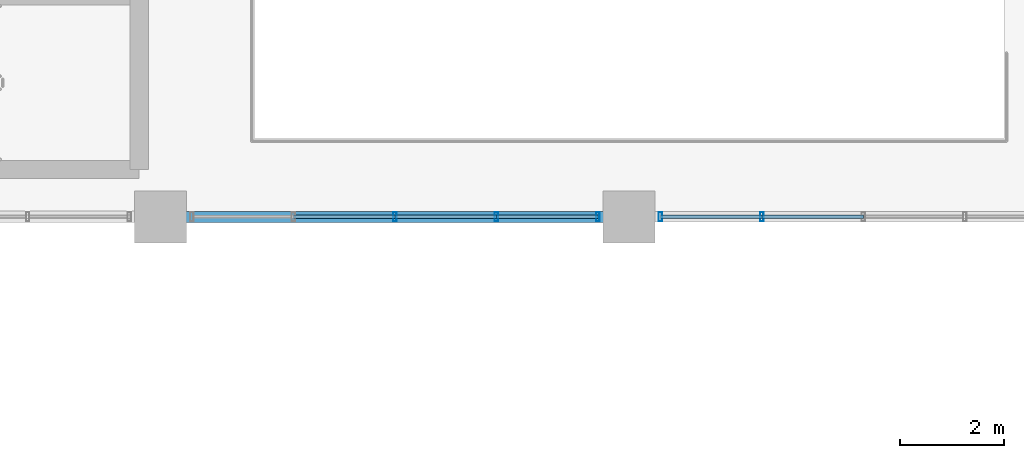
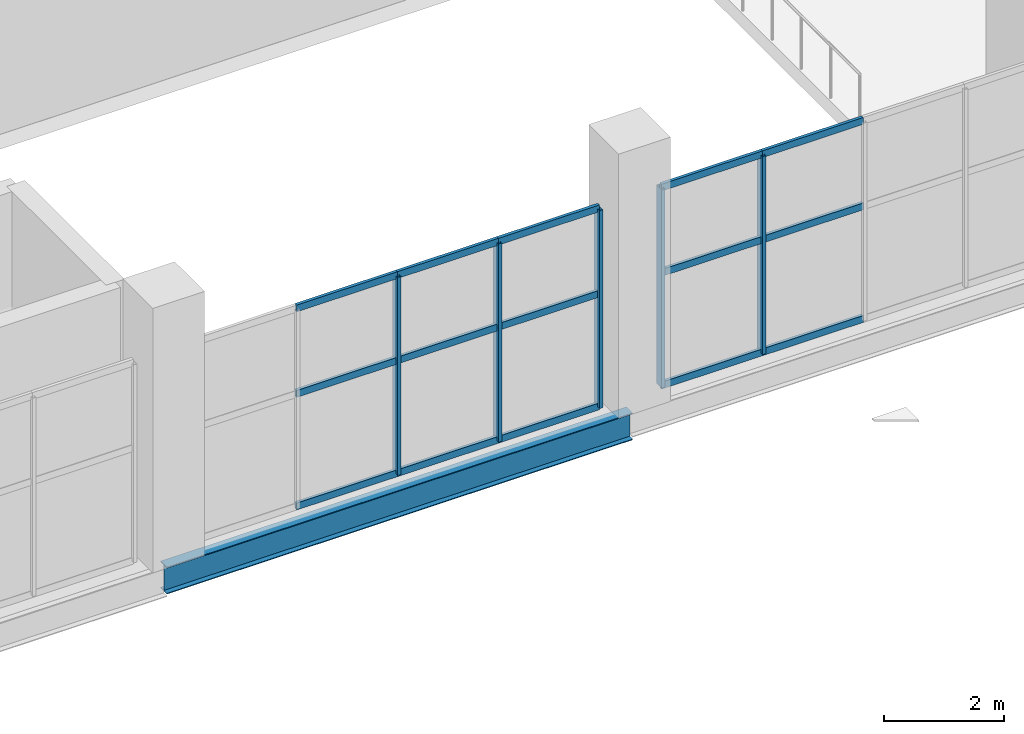
# One storey, part 15 of 147: 20 members, 1 beam, 2 elements without a shape of their own.
"""IFC4 building model written with IfcOpenShell, lengths in metres."""

from ifc_helpers import new_model, si_unit, direction, frame, origin, origin_2d, place, context, subcontext, project, spatial, hollow_rectangle, i_section, extrude, material, layer, layer_set, material_profile, profile_set, type_object, element, aggregate, save


model = new_model("IFC4")

# Units and contexts
model_context = context("Model", 3, precision=1e-05, world=origin(), true_north=direction((0.0, 1.0)))
body_context = subcontext(model_context, "Body", "Model", "MODEL_VIEW")
ifc_project = project(units=[si_unit("LENGTHUNIT", "METRE"), si_unit("AREAUNIT", "SQUARE_METRE"), si_unit("VOLUMEUNIT", "CUBIC_METRE"), si_unit("PLANEANGLEUNIT", "RADIAN"), si_unit("MASSUNIT", "GRAM", prefix="KILO")], contexts=[model_context])

# Site, building, storey
site_placement = place(None, origin())
site = spatial("IfcSite", under=ifc_project, at=site_placement, CompositionType="ELEMENT")
building_placement = place(site_placement, origin())
building = spatial("IfcBuilding", under=site, at=building_placement, Name="Sundgate Opera House", CompositionType="ELEMENT")
storey_placement = place(building_placement, frame((0.0, 0.0, 6.0)))
storey = spatial("IfcBuildingStorey", under=building, at=storey_placement, Name="L01", CompositionType="ELEMENT", Elevation=6.0)

# Beam
ifc_material_1 = material(Name="Steel S355J2", Category="steel")
ifc_material_profile_1 = material_profile(ifc_material_1, i_section(OverallWidth=0.2099609375, OverallDepth=0.550048828125, WebThickness=0.010986328125, FlangeThickness=0.01708984375, at=origin_2d()), Name="IPE 550")
ifc_profile_set_1 = profile_set([ifc_material_profile_1], Name="Steel S355J2")
beam_type = type_object("IfcBeamType", Name="BM-GR-IPE550", PredefinedType="BEAM", material=ifc_profile_set_1)
beam_placement = place(storey_placement, frame((45.0, 42.0, -0.574951171875), z_axis=(1.0, 0.0, 0.0), x_axis=(0.0, 1.0, 0.0)))
element("IfcBeam", 1, at=beam_placement, inside=storey, type_object=beam_type, Name="L01 Primary E-W Girder B1329", PredefinedType="BEAM", context=body_context, shape_type="SweptSolid", body=[
    extrude(i_section(OverallWidth=0.2099609375, OverallDepth=0.550048828125, WebThickness=0.010986328125, FlangeThickness=0.01708984375, at=origin_2d()), origin(), (0.0, 0.0, 1.0), 9.0),
])

# Curtain wall, members
ifc_material_2 = material(Name="Anodized aluminium and low-iron glass", Category="aluminium")
ifc_layer = layer(ifc_material_2, 0.179931640625)
ifc_layer_set = layer_set([ifc_layer], Name="Anodized aluminium and low-iron glass")
curtain_wall_type = type_object("IfcCurtainWallType", Name="CW-FOYER-GLASS", PredefinedType="NOTDEFINED", material=ifc_layer_set)
curtain_wall_1_placement = place(storey_placement, origin())
curtain_wall_1 = element("IfcCurtainWall", 2, at=curtain_wall_1_placement, inside=storey, type_object=curtain_wall_type, Name="L01 Curtain Wall CW012", PredefinedType="NOTDEFINED")
ifc_material_3 = material(Name="Anodized aluminium EN AW-6063", Category="aluminium")
ifc_material_profile_2 = material_profile(ifc_material_3, hollow_rectangle(XDim=0.06494140625, YDim=0.179931640625, WallThickness=0.00390625, at=origin_2d()), Name="CWM 180x65x4")
ifc_profile_set_2 = profile_set([ifc_material_profile_2], Name="Anodized aluminium EN AW-6063")
member_type_1 = type_object("IfcMemberType", Name="CWM-ALU-180x65", PredefinedType="MULLION", material=ifc_profile_set_2)
member_1_placement = place(storey_placement, frame((53.39990234375, 42.0, 0.0), z_axis=(0.0, 0.0, 1.0), x_axis=(1.0, 0.0, 0.0)))
member_1 = element("IfcMember", 3, at=member_1_placement, type_object=member_type_1, Name="CW012 Mullion 1", PredefinedType="MULLION", context=body_context, shape_type="SweptSolid", body=[
    extrude(hollow_rectangle(XDim=0.06494140625, YDim=0.179931640625, WallThickness=0.00390625, at=origin_2d()), origin(), (0.0, 0.0, 1.0), 4.044921875),
])
member_2_placement = place(storey_placement, frame((51.449951171875, 42.0, 0.0), z_axis=(0.0, 0.0, 1.0), x_axis=(1.0, 0.0, 0.0)))
member_2 = element("IfcMember", 4, at=member_2_placement, type_object=member_type_1, Name="CW012 Mullion 2", PredefinedType="MULLION", context=body_context, shape_type="SweptSolid", body=[
    extrude(hollow_rectangle(XDim=0.06494140625, YDim=0.179931640625, WallThickness=0.00390625, at=origin_2d()), origin(), (0.0, 0.0, 1.0), 4.044921875),
])
member_3_placement = place(storey_placement, frame((49.5, 42.0, 0.0), z_axis=(0.0, 0.0, 1.0), x_axis=(1.0, 0.0, 0.0)))
member_3 = element("IfcMember", 5, at=member_3_placement, type_object=member_type_1, Name="CW012 Mullion 3", PredefinedType="MULLION", context=body_context, shape_type="SweptSolid", body=[
    extrude(hollow_rectangle(XDim=0.06494140625, YDim=0.179931640625, WallThickness=0.00390625, at=origin_2d()), origin(), (0.0, 0.0, 1.0), 4.044921875),
])

curtain_wall_2_placement = place(storey_placement, origin())
curtain_wall_2 = element("IfcCurtainWall", 6, at=curtain_wall_2_placement, inside=storey, type_object=curtain_wall_type, Name="L01 Curtain Wall CW013", PredefinedType="NOTDEFINED")
member_4_placement = place(storey_placement, frame((56.550048828125, 42.0, 0.0), z_axis=(0.0, 0.0, 1.0), x_axis=(1.0, 0.0, 0.0)))
member_4 = element("IfcMember", 7, at=member_4_placement, type_object=member_type_1, Name="CW013 Mullion 4", PredefinedType="MULLION", context=body_context, shape_type="SweptSolid", body=[
    extrude(hollow_rectangle(XDim=0.06494140625, YDim=0.179931640625, WallThickness=0.00390625, at=origin_2d()), origin(), (0.0, 0.0, 1.0), 4.044921875),
])
member_5_placement = place(storey_placement, frame((54.60009765625, 42.0, 0.0), z_axis=(0.0, 0.0, 1.0), x_axis=(1.0, 0.0, 0.0)))
member_5 = element("IfcMember", 8, at=member_5_placement, type_object=member_type_1, Name="CW013 Mullion 5", PredefinedType="MULLION", context=body_context, shape_type="SweptSolid", body=[
    extrude(hollow_rectangle(XDim=0.06494140625, YDim=0.179931640625, WallThickness=0.00390625, at=origin_2d()), origin(), (0.0, 0.0, 1.0), 4.044921875),
])

# Member
ifc_material_4 = material(Name="Anodized aluminium EN AW-6063", Category="aluminium")
ifc_material_profile_3 = material_profile(ifc_material_4, hollow_rectangle(XDim=0.06005859375, YDim=0.139892578125, WallThickness=0.00390625, at=origin_2d()), Name="CWT 140x60x4")
ifc_profile_set_3 = profile_set([ifc_material_profile_3], Name="Anodized aluminium EN AW-6063")
member_type_2 = type_object("IfcMemberType", Name="CWT-ALU-140x60", PredefinedType="USERDEFINED", material=ifc_profile_set_3)
member_6_placement = place(storey_placement, frame((53.39990234375, 42.0, 0.0), z_axis=(-1.0, 0.0, 0.0), x_axis=(0.0, -1.0, 0.0)))
member_6 = element("IfcMember", 9, at=member_6_placement, type_object=member_type_2, Name="CW012 Transom 1", ObjectType="TRANSOM", PredefinedType="USERDEFINED", context=body_context, shape_type="SweptSolid", body=[
    extrude(hollow_rectangle(XDim=0.06005859375, YDim=0.139892578125, WallThickness=0.00390625, at=origin_2d()), origin(), (0.0, 0.0, 1.0), 1.949951171875),
])

member_7_placement = place(storey_placement, frame((53.39990234375, 42.0, 2.300048828125), z_axis=(-1.0, 0.0, 0.0), x_axis=(0.0, -1.0, 0.0)))
member_7 = element("IfcMember", 10, at=member_7_placement, type_object=member_type_2, Name="CW012 Transom 2", ObjectType="TRANSOM", PredefinedType="USERDEFINED", context=body_context, shape_type="SweptSolid", body=[
    extrude(hollow_rectangle(XDim=0.06005859375, YDim=0.139892578125, WallThickness=0.00390625, at=origin_2d()), origin(), (0.0, 0.0, 1.0), 1.949951171875),
])

member_8_placement = place(storey_placement, frame((53.39990234375, 42.0, 4.044921875), z_axis=(-1.0, 0.0, 0.0), x_axis=(0.0, -1.0, 0.0)))
member_8 = element("IfcMember", 11, at=member_8_placement, type_object=member_type_2, Name="CW012 Transom 3", ObjectType="TRANSOM", PredefinedType="USERDEFINED", context=body_context, shape_type="SweptSolid", body=[
    extrude(hollow_rectangle(XDim=0.06005859375, YDim=0.139892578125, WallThickness=0.00390625, at=origin_2d()), origin(), (0.0, 0.0, 1.0), 1.949951171875),
])

member_9_placement = place(storey_placement, frame((51.449951171875, 42.0, 0.0), z_axis=(-1.0, 0.0, 0.0), x_axis=(0.0, -1.0, 0.0)))
member_9 = element("IfcMember", 12, at=member_9_placement, type_object=member_type_2, Name="CW012 Transom 4", ObjectType="TRANSOM", PredefinedType="USERDEFINED", context=body_context, shape_type="SweptSolid", body=[
    extrude(hollow_rectangle(XDim=0.06005859375, YDim=0.139892578125, WallThickness=0.00390625, at=origin_2d()), origin(), (0.0, 0.0, 1.0), 1.949951171875),
])

member_10_placement = place(storey_placement, frame((51.449951171875, 42.0, 2.300048828125), z_axis=(-1.0, 0.0, 0.0), x_axis=(0.0, -1.0, 0.0)))
member_10 = element("IfcMember", 13, at=member_10_placement, type_object=member_type_2, Name="CW012 Transom 5", ObjectType="TRANSOM", PredefinedType="USERDEFINED", context=body_context, shape_type="SweptSolid", body=[
    extrude(hollow_rectangle(XDim=0.06005859375, YDim=0.139892578125, WallThickness=0.00390625, at=origin_2d()), origin(), (0.0, 0.0, 1.0), 1.949951171875),
])

member_11_placement = place(storey_placement, frame((51.449951171875, 42.0, 4.044921875), z_axis=(-1.0, 0.0, 0.0), x_axis=(0.0, -1.0, 0.0)))
member_11 = element("IfcMember", 14, at=member_11_placement, type_object=member_type_2, Name="CW012 Transom 6", ObjectType="TRANSOM", PredefinedType="USERDEFINED", context=body_context, shape_type="SweptSolid", body=[
    extrude(hollow_rectangle(XDim=0.06005859375, YDim=0.139892578125, WallThickness=0.00390625, at=origin_2d()), origin(), (0.0, 0.0, 1.0), 1.949951171875),
])

member_12_placement = place(storey_placement, frame((49.5, 42.0, 0.0), z_axis=(-1.0, 0.0, 0.0), x_axis=(0.0, -1.0, 0.0)))
member_12 = element("IfcMember", 15, at=member_12_placement, type_object=member_type_2, Name="CW012 Transom 7", ObjectType="TRANSOM", PredefinedType="USERDEFINED", context=body_context, shape_type="SweptSolid", body=[
    extrude(hollow_rectangle(XDim=0.06005859375, YDim=0.139892578125, WallThickness=0.00390625, at=origin_2d()), origin(), (0.0, 0.0, 1.0), 1.949951171875),
])

member_13_placement = place(storey_placement, frame((49.5, 42.0, 2.300048828125), z_axis=(-1.0, 0.0, 0.0), x_axis=(0.0, -1.0, 0.0)))
member_13 = element("IfcMember", 16, at=member_13_placement, type_object=member_type_2, Name="CW012 Transom 8", ObjectType="TRANSOM", PredefinedType="USERDEFINED", context=body_context, shape_type="SweptSolid", body=[
    extrude(hollow_rectangle(XDim=0.06005859375, YDim=0.139892578125, WallThickness=0.00390625, at=origin_2d()), origin(), (0.0, 0.0, 1.0), 1.949951171875),
])

member_14_placement = place(storey_placement, frame((49.5, 42.0, 4.044921875), z_axis=(-1.0, 0.0, 0.0), x_axis=(0.0, -1.0, 0.0)))
member_14 = element("IfcMember", 17, at=member_14_placement, type_object=member_type_2, Name="CW012 Transom 9", ObjectType="TRANSOM", PredefinedType="USERDEFINED", context=body_context, shape_type="SweptSolid", body=[
    extrude(hollow_rectangle(XDim=0.06005859375, YDim=0.139892578125, WallThickness=0.00390625, at=origin_2d()), origin(), (0.0, 0.0, 1.0), 1.949951171875),
])

aggregate(curtain_wall_1, [member_1, member_2, member_3, member_6, member_7, member_8, member_9, member_10, member_11, member_12, member_13, member_14])

member_15_placement = place(storey_placement, frame((58.5, 42.0, 0.0), z_axis=(-1.0, 0.0, 0.0), x_axis=(0.0, -1.0, 0.0)))
member_15 = element("IfcMember", 18, at=member_15_placement, type_object=member_type_2, Name="CW013 Transom 7", ObjectType="TRANSOM", PredefinedType="USERDEFINED", context=body_context, shape_type="SweptSolid", body=[
    extrude(hollow_rectangle(XDim=0.06005859375, YDim=0.139892578125, WallThickness=0.00390625, at=origin_2d()), origin(), (0.0, 0.0, 1.0), 1.949951171875),
])

member_16_placement = place(storey_placement, frame((58.5, 42.0, 2.300048828125), z_axis=(-1.0, 0.0, 0.0), x_axis=(0.0, -1.0, 0.0)))
member_16 = element("IfcMember", 19, at=member_16_placement, type_object=member_type_2, Name="CW013 Transom 8", ObjectType="TRANSOM", PredefinedType="USERDEFINED", context=body_context, shape_type="SweptSolid", body=[
    extrude(hollow_rectangle(XDim=0.06005859375, YDim=0.139892578125, WallThickness=0.00390625, at=origin_2d()), origin(), (0.0, 0.0, 1.0), 1.949951171875),
])

member_17_placement = place(storey_placement, frame((58.5, 42.0, 4.044921875), z_axis=(-1.0, 0.0, 0.0), x_axis=(0.0, -1.0, 0.0)))
member_17 = element("IfcMember", 20, at=member_17_placement, type_object=member_type_2, Name="CW013 Transom 9", ObjectType="TRANSOM", PredefinedType="USERDEFINED", context=body_context, shape_type="SweptSolid", body=[
    extrude(hollow_rectangle(XDim=0.06005859375, YDim=0.139892578125, WallThickness=0.00390625, at=origin_2d()), origin(), (0.0, 0.0, 1.0), 1.949951171875),
])

member_18_placement = place(storey_placement, frame((56.550048828125, 42.0, 0.0), z_axis=(-1.0, 0.0, 0.0), x_axis=(0.0, -1.0, 0.0)))
member_18 = element("IfcMember", 21, at=member_18_placement, type_object=member_type_2, Name="CW013 Transom 10", ObjectType="TRANSOM", PredefinedType="USERDEFINED", context=body_context, shape_type="SweptSolid", body=[
    extrude(hollow_rectangle(XDim=0.06005859375, YDim=0.139892578125, WallThickness=0.00390625, at=origin_2d()), origin(), (0.0, 0.0, 1.0), 1.949951171875),
])

member_19_placement = place(storey_placement, frame((56.550048828125, 42.0, 2.300048828125), z_axis=(-1.0, 0.0, 0.0), x_axis=(0.0, -1.0, 0.0)))
member_19 = element("IfcMember", 22, at=member_19_placement, type_object=member_type_2, Name="CW013 Transom 11", ObjectType="TRANSOM", PredefinedType="USERDEFINED", context=body_context, shape_type="SweptSolid", body=[
    extrude(hollow_rectangle(XDim=0.06005859375, YDim=0.139892578125, WallThickness=0.00390625, at=origin_2d()), origin(), (0.0, 0.0, 1.0), 1.949951171875),
])

member_20_placement = place(storey_placement, frame((56.550048828125, 42.0, 4.044921875), z_axis=(-1.0, 0.0, 0.0), x_axis=(0.0, -1.0, 0.0)))
member_20 = element("IfcMember", 23, at=member_20_placement, type_object=member_type_2, Name="CW013 Transom 12", ObjectType="TRANSOM", PredefinedType="USERDEFINED", context=body_context, shape_type="SweptSolid", body=[
    extrude(hollow_rectangle(XDim=0.06005859375, YDim=0.139892578125, WallThickness=0.00390625, at=origin_2d()), origin(), (0.0, 0.0, 1.0), 1.949951171875),
])

aggregate(curtain_wall_2, [member_4, member_5, member_15, member_16, member_17, member_18, member_19, member_20])

save(model, "model.ifc")
